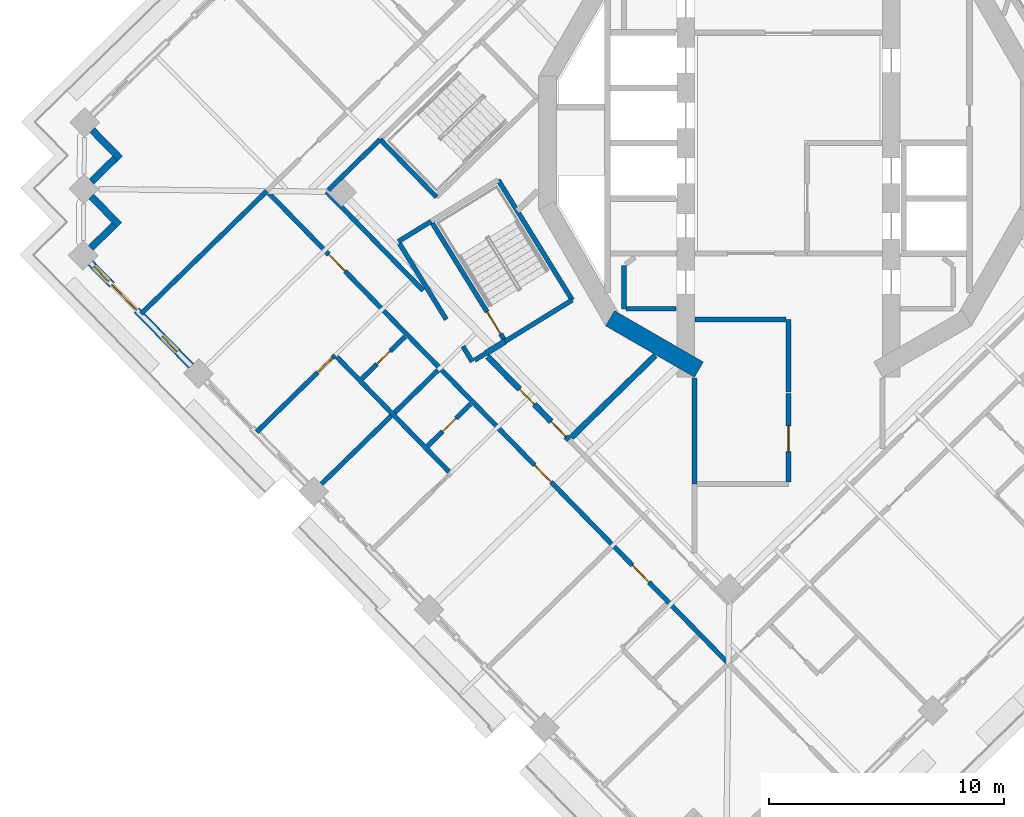
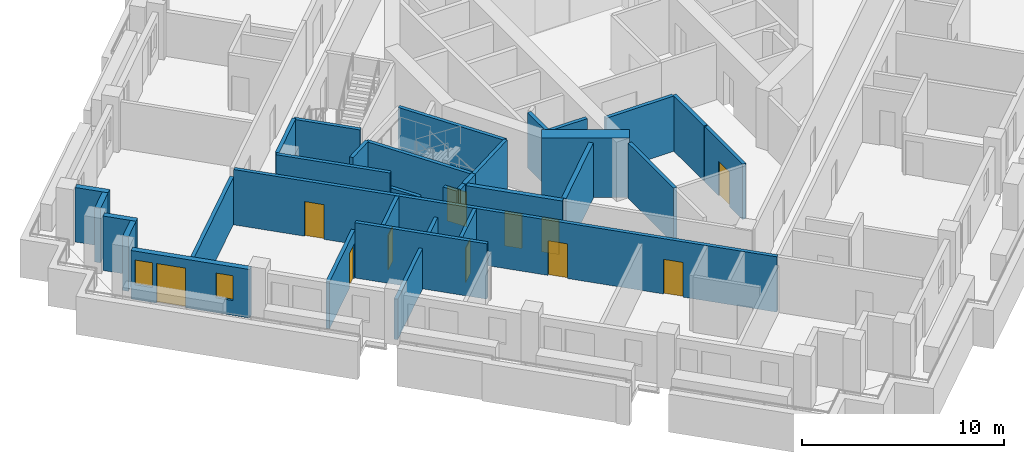
# One storey, part 5 of 19: 32 walls, 11 doors, 2 windows, 13 openings.
"""IFC4 building model written with IfcOpenShell, lengths in metres."""

from ifc_helpers import new_model, si_unit, direction, frame, frame_2d, origin, place, context, subcontext, project, spatial, rectangle, extrude, material, layer, layer_set, type_object, element, fill, save


model = new_model("IFC4")

# Units and contexts
model_context = context("Model", 3, precision=1e-05, world=origin(), true_north=direction((0.0, 1.0)))
body_context = subcontext(model_context, "Body", "Model", "MODEL_VIEW")
ifc_project = project(units=[si_unit("LENGTHUNIT", "METRE"), si_unit("AREAUNIT", "SQUARE_METRE"), si_unit("VOLUMEUNIT", "CUBIC_METRE"), si_unit("PLANEANGLEUNIT", "RADIAN"), si_unit("MASSUNIT", "GRAM", prefix="KILO")], contexts=[model_context])

# Site, building, storey
site_placement = place(None, origin())
site = spatial("IfcSite", under=ifc_project, at=site_placement, CompositionType="ELEMENT")
building_placement = place(site_placement, origin())
building = spatial("IfcBuilding", under=site, at=building_placement, Name="Cantera Rosa Tower", CompositionType="ELEMENT")
storey_placement = place(building_placement, frame((0.0, 0.0, 216.199951171875)))
storey = spatial("IfcBuildingStorey", under=building, at=storey_placement, Name="L46", CompositionType="ELEMENT", Elevation=216.199951171875)

# Wall
ifc_material_1 = material(Name="Gypsum board partition")
ifc_layer_1 = layer(ifc_material_1, 0.199951171875)
ifc_layer_set_1 = layer_set([ifc_layer_1], Name="CORRIDOR WALL 200 H2300")
wall_type_1 = type_object("IfcWallType", Name="CORRIDOR WALL 200 H2300", PredefinedType="PARTITIONING", material=ifc_layer_set_1)
wall_1_placement = place(storey_placement, frame((-16.548095703125, -4.274658203125, 0.0), z_axis=(0.0, 0.0, 1.0), x_axis=(0.524970357961, -0.851120510423, 0.0)))
element("IfcWall", 1, at=wall_1_placement, inside=storey, type_object=wall_type_1, Name="CORRIDOR WALL L46-012", PredefinedType="PARTITIONING", context=body_context, shape_type="SweptSolid", body=[
    extrude(rectangle(XDim=3.790771484375, YDim=0.199951171875, at=frame_2d((1.8955078125, 0.0))), origin(), (0.0, 0.0, 1.0), 2.300048828125),
])

# Wall, openings, doors
ifc_material_2 = material(Name="Gypsum board partition")
ifc_layer_2 = layer(ifc_material_2, 0.199951171875)
ifc_layer_set_2 = layer_set([ifc_layer_2], Name="CORRIDOR WALL 200 H3350")
wall_type_2 = type_object("IfcWallType", Name="CORRIDOR WALL 200 H3350", PredefinedType="PARTITIONING", material=ifc_layer_set_2)
wall_2_placement = place(storey_placement, frame((-22.109130859375, -2.125732421875, 0.0), z_axis=(0.0, 0.0, 1.0), x_axis=(0.698826334324, -0.715291377311, 0.0)))
wall_2 = element("IfcWall", 2, at=wall_2_placement, inside=storey, type_object=wall_type_2, Name="CORRIDOR WALL L46-003", PredefinedType="PARTITIONING", context=body_context, shape_type="SweptSolid", body=[
    extrude(rectangle(XDim=27.97998046875, YDim=0.199951171875, at=frame_2d((13.989990234375, 0.0))), origin(), (0.0, 0.0, 1.0), 3.35009765625),
])
opening_1_placement = place(wall_2_placement, frame((3.64990234375, 0.0, 0.0)))
opening_1 = element("IfcOpeningElement", 3, at=opening_1_placement, cuts=wall_2, Name="Opening L46-037", PredefinedType="OPENING", context=body_context, shape_type="SweptSolid", body=[
    extrude(rectangle(XDim=1.0, YDim=2.10009765625, at=frame_2d((0.5, 1.050048828125))), frame((0.0, 0.10986328125, 0.0), z_axis=(0.0, -1.0, 0.0), x_axis=(1.0, 0.0, 0.0)), (0.0, 0.0, 1.0), 0.219970703125),
])
opening_2_placement = place(wall_2_placement, frame((16.18505859375, 0.0, 0.0)))
opening_2 = element("IfcOpeningElement", 4, at=opening_2_placement, cuts=wall_2, Name="Opening L46-040", PredefinedType="OPENING", context=body_context, shape_type="SweptSolid", body=[
    extrude(rectangle(XDim=1.0, YDim=2.10009765625, at=frame_2d((0.5, 1.050048828125))), frame((0.0, 0.10986328125, 0.0), z_axis=(0.0, -1.0, 0.0), x_axis=(1.0, 0.0, 0.0)), (0.0, 0.0, 1.0), 0.219970703125),
])
opening_3_placement = place(wall_2_placement, frame((22.139892578125, 0.0, 0.0)))
opening_3 = element("IfcOpeningElement", 5, at=opening_3_placement, cuts=wall_2, Name="Opening L46-043", PredefinedType="OPENING", context=body_context, shape_type="SweptSolid", body=[
    extrude(rectangle(XDim=1.0, YDim=2.10009765625, at=frame_2d((0.5, 1.050048828125))), frame((0.0, 0.10986328125, 0.0), z_axis=(0.0, -1.0, 0.0), x_axis=(1.0, 0.0, 0.0)), (0.0, 0.0, 1.0), 0.219970703125),
])
ifc_material_3 = material(Name="Timber door leaf", Category="wood")
door_type_1 = type_object("IfcDoorType", Name="ENTRANCE DOOR 1000x2100", OperationType="NOTDEFINED", PredefinedType="DOOR", material=ifc_material_3)
door_1_placement = place(opening_1_placement, origin())
door_1 = element("IfcDoor", 6, at=door_1_placement, inside=storey, type_object=door_type_1, Name="DOOR L46-037", OperationType="NOTDEFINED", OverallHeight=2.10009765625, OverallWidth=1.0, PredefinedType="DOOR", context=body_context, shape_type="SweptSolid", body=[
    extrude(rectangle(XDim=1.0, YDim=2.10009765625, at=frame_2d((0.5, 1.050048828125))), frame((0.0, 0.02490234375, 0.0), z_axis=(0.0, -1.0, 0.0), x_axis=(1.0, 0.0, 0.0)), (0.0, 0.0, 1.0), 0.050048828125),
])
fill(opening_1, door_1)
door_2_placement = place(opening_2_placement, origin())
door_2 = element("IfcDoor", 7, at=door_2_placement, inside=storey, type_object=door_type_1, Name="DOOR L46-040", OperationType="NOTDEFINED", OverallHeight=2.10009765625, OverallWidth=1.0, PredefinedType="DOOR", context=body_context, shape_type="SweptSolid", body=[
    extrude(rectangle(XDim=1.0, YDim=2.10009765625, at=frame_2d((0.5, 1.050048828125))), frame((0.0, 0.02490234375, 0.0), z_axis=(0.0, -1.0, 0.0), x_axis=(1.0, 0.0, 0.0)), (0.0, 0.0, 1.0), 0.050048828125),
])
fill(opening_2, door_2)
door_3_placement = place(opening_3_placement, origin())
door_3 = element("IfcDoor", 8, at=door_3_placement, inside=storey, type_object=door_type_1, Name="DOOR L46-043", OperationType="NOTDEFINED", OverallHeight=2.10009765625, OverallWidth=1.0, PredefinedType="DOOR", context=body_context, shape_type="SweptSolid", body=[
    extrude(rectangle(XDim=1.0, YDim=2.10009765625, at=frame_2d((0.5, 1.050048828125))), frame((0.0, 0.02490234375, 0.0), z_axis=(0.0, -1.0, 0.0), x_axis=(1.0, 0.0, 0.0)), (0.0, 0.0, 1.0), 0.050048828125),
])
fill(opening_3, door_3)

# Walls
wall_3_placement = place(storey_placement, frame((-19.647705078125, -2.069580078125, 0.0), z_axis=(0.0, 0.0, 1.0), x_axis=(0.698845926006, -0.715272236079, 0.0)))
element("IfcWall", 9, at=wall_3_placement, inside=storey, type_object=wall_type_2, Name="CORRIDOR WALL L46-004", PredefinedType="PARTITIONING", context=body_context, shape_type="SweptSolid", body=[
    extrude(rectangle(XDim=5.870849609375, YDim=0.199951171875, at=frame_2d((2.935546875, 0.0))), origin(), (0.0, 0.0, 1.0), 3.35009765625),
])
wall_4_placement = place(storey_placement, frame((-17.36962890625, 0.156005859375, 0.0), z_axis=(0.0, 0.0, 1.0), x_axis=(-0.715289693103, -0.69882805821, 0.0)))
element("IfcWall", 10, at=wall_4_placement, inside=storey, type_object=wall_type_2, Name="CORRIDOR WALL L46-009", PredefinedType="PARTITIONING", context=body_context, shape_type="SweptSolid", body=[
    extrude(rectangle(XDim=3.084716796875, YDim=0.199951171875, at=frame_2d((1.54248046875, 0.0))), origin(), (0.0, 0.0, 1.0), 3.35009765625),
])
wall_5_placement = place(storey_placement, frame((-16.6005859375, -4.189697265625, 0.0), z_axis=(0.0, 0.0, 1.0), x_axis=(0.8510360128, 0.525107327047, 0.0)))
element("IfcWall", 11, at=wall_5_placement, inside=storey, type_object=wall_type_2, Name="CORRIDOR WALL L46-011", PredefinedType="PARTITIONING", context=body_context, shape_type="SweptSolid", body=[
    extrude(rectangle(XDim=1.64501953125, YDim=0.199951171875, at=frame_2d((0.822509765625, 0.0))), origin(), (0.0, 0.0, 1.0), 3.35009765625),
])
wall_6_placement = place(storey_placement, frame((-13.8525390625, -8.64501953125, 0.0), z_axis=(0.0, 0.0, 1.0), x_axis=(0.52482706305, -0.851208877944, 0.0)))
element("IfcWall", 12, at=wall_6_placement, inside=storey, type_object=wall_type_2, Name="CORRIDOR WALL L46-013", PredefinedType="PARTITIONING", context=body_context, shape_type="SweptSolid", body=[
    extrude(rectangle(XDim=0.76513671875, YDim=0.199951171875, at=frame_2d((0.382568359375, 0.0))), origin(), (0.0, 0.0, 1.0), 3.35009765625),
])
wall_7_placement = place(storey_placement, frame((-13.3486328125, -9.2333984375, 0.0), z_axis=(0.0, 0.0, 1.0), x_axis=(0.851004350762, 0.525158637922, 0.0)))
element("IfcWall", 13, at=wall_7_placement, inside=storey, type_object=wall_type_2, Name="CORRIDOR WALL L46-020", PredefinedType="PARTITIONING", context=body_context, shape_type="SweptSolid", body=[
    extrude(rectangle(XDim=0.51318359375, YDim=0.199951171875, at=frame_2d((0.256591796875, 0.0))), origin(), (0.0, 0.0, 1.0), 3.35009765625),
])

# Wall, opening, door
wall_8_placement = place(storey_placement, frame((0.0, -14.419921875, 0.0), z_axis=(0.0, 0.0, 1.0), x_axis=(0.0, 1.0, 0.0)))
wall_8 = element("IfcWall", 14, at=wall_8_placement, inside=storey, type_object=wall_type_2, Name="CORRIDOR WALL L46-062", PredefinedType="PARTITIONING", context=body_context, shape_type="SweptSolid", body=[
    extrude(rectangle(XDim=3.7646484375, YDim=0.199951171875, at=frame_2d((1.88232421875, 0.0))), origin(), (0.0, 0.0, 1.0), 3.35009765625),
])
opening_4_placement = place(wall_8_placement, frame((1.29248046875, 0.0, 0.0)))
opening_4 = element("IfcOpeningElement", 15, at=opening_4_placement, cuts=wall_8, Name="Opening L46-017", PredefinedType="OPENING", context=body_context, shape_type="SweptSolid", body=[
    extrude(rectangle(XDim=1.10009765625, YDim=2.10009765625, at=frame_2d((0.550048828125, 1.050048828125))), frame((0.0, 0.10986328125, 0.0), z_axis=(0.0, -1.0, 0.0), x_axis=(1.0, 0.0, 0.0)), (0.0, 0.0, 1.0), 0.219970703125),
])
ifc_material_4 = material(Name="Timber door leaf", Category="wood")
door_type_2 = type_object("IfcDoorType", Name="ROOM DOOR 1100x2100", OperationType="NOTDEFINED", PredefinedType="DOOR", material=ifc_material_4)
door_4_placement = place(opening_4_placement, origin())
door_4 = element("IfcDoor", 16, at=door_4_placement, inside=storey, type_object=door_type_2, Name="DOOR L46-017", OperationType="NOTDEFINED", OverallHeight=2.10009765625, OverallWidth=1.10009765625, PredefinedType="DOOR", context=body_context, shape_type="SweptSolid", body=[
    extrude(rectangle(XDim=1.10009765625, YDim=2.10009765625, at=frame_2d((0.550048828125, 1.050048828125))), frame((0.0, 0.02490234375, 0.0), z_axis=(0.0, -1.0, 0.0), x_axis=(1.0, 0.0, 0.0)), (0.0, 0.0, 1.0), 0.050048828125),
])
fill(opening_4, door_4)

# Walls
wall_9_placement = place(storey_placement, frame((0.0, -10.59521484375, 0.0), z_axis=(0.0, 0.0, 1.0), x_axis=(0.0, 1.0, 0.0)))
element("IfcWall", 17, at=wall_9_placement, inside=storey, type_object=wall_type_2, Name="CORRIDOR WALL L46-063", PredefinedType="PARTITIONING", context=body_context, shape_type="SweptSolid", body=[
    extrude(rectangle(XDim=3.09521484375, YDim=0.199951171875, at=frame_2d((1.547607421875, 0.0))), origin(), (0.0, 0.0, 1.0), 3.35009765625),
])
wall_10_placement = place(storey_placement, frame((-0.10009765625, -7.5, 0.0), z_axis=(0.0, 0.0, 1.0), x_axis=(-1.0, 0.0, 0.0)))
element("IfcWall", 18, at=wall_10_placement, inside=storey, type_object=wall_type_2, Name="CORRIDOR WALL L46-064", PredefinedType="PARTITIONING", context=body_context, shape_type="SweptSolid", body=[
    extrude(rectangle(XDim=3.869873046875, YDim=0.199951171875, at=frame_2d((1.93505859375, 0.0))), origin(), (0.0, 0.0, 1.0), 3.35009765625),
])
ifc_material_5 = material(Name="Hollow clay masonry with cantera stone cladding", Category="masonry")
ifc_layer_3 = layer(ifc_material_5, 0.300048828125)
ifc_layer_set_3 = layer_set([ifc_layer_3], Name="EW-LOGGIA 300")
wall_type_3 = type_object("IfcWallType", Name="EW-LOGGIA 300", PredefinedType="SOLIDWALL", material=ifc_layer_set_3)
wall_11_placement = place(storey_placement, frame((-29.623291015625, 0.556884765625, 0.0), z_axis=(0.0, 0.0, 1.0), x_axis=(0.69880105094, -0.715316077832, 0.0)))
element("IfcWall", 19, at=wall_11_placement, inside=storey, type_object=wall_type_3, Name="EN-L46-W12a", PredefinedType="SOLIDWALL", context=body_context, shape_type="SweptSolid", body=[
    extrude(rectangle(XDim=1.699951171875, YDim=0.300048828125, at=frame_2d((0.85009765625, 0.0))), origin(), (0.0, 0.0, 1.0), 3.300048828125),
])
wall_12_placement = place(storey_placement, frame((-28.6474609375, -0.65673828125, 0.0), z_axis=(0.0, 0.0, 1.0), x_axis=(-0.715341715727, -0.698774806172, 0.0)))
element("IfcWall", 20, at=wall_12_placement, inside=storey, type_object=wall_type_3, Name="EN-L46-W12b", PredefinedType="SOLIDWALL", context=body_context, shape_type="SweptSolid", body=[
    extrude(rectangle(XDim=1.39990234375, YDim=0.300048828125, at=frame_2d((0.699951171875, 0.0))), origin(), (0.0, 0.0, 1.0), 3.300048828125),
])
wall_13_placement = place(storey_placement, frame((-29.65625, -2.271484375, 0.0), z_axis=(0.0, 0.0, 1.0), x_axis=(0.698872839675, -0.715245939495, 0.0)))
element("IfcWall", 21, at=wall_13_placement, inside=storey, type_object=wall_type_3, Name="EN-L46-W13a", PredefinedType="SOLIDWALL", context=body_context, shape_type="SweptSolid", body=[
    extrude(rectangle(XDim=1.699951171875, YDim=0.300048828125, at=frame_2d((0.85009765625, 0.0))), origin(), (0.0, 0.0, 1.0), 3.300048828125),
])
wall_14_placement = place(storey_placement, frame((-28.680419921875, -3.48486328125, 0.0), z_axis=(0.0, 0.0, 1.0), x_axis=(-0.71516937164, -0.698951192766, 0.0)))
element("IfcWall", 22, at=wall_14_placement, inside=storey, type_object=wall_type_3, Name="EN-L46-W13b", PredefinedType="SOLIDWALL", context=body_context, shape_type="SweptSolid", body=[
    extrude(rectangle(XDim=1.39990234375, YDim=0.300048828125, at=frame_2d((0.699951171875, 0.0))), origin(), (0.0, 0.0, 1.0), 3.300048828125),
])

# Wall, openings, windows, door
ifc_material_6 = material(Name="Hollow clay masonry with cantera stone cladding", Category="masonry")
ifc_layer_4 = layer(ifc_material_6, 0.300048828125)
ifc_layer_set_4 = layer_set([ifc_layer_4], Name="EW-LOGGIA 300 H2940")
wall_type_4 = type_object("IfcWallType", Name="EW-LOGGIA 300 H2940", PredefinedType="SOLIDWALL", material=ifc_layer_set_4)
wall_15_placement = place(storey_placement, frame((-29.689208984375, -5.099609375, 0.0), z_axis=(0.0, 0.0, 1.0), x_axis=(0.69882117953, -0.715296413412, 0.0)))
wall_15 = element("IfcWall", 23, at=wall_15_placement, inside=storey, type_object=wall_type_4, Name="EN-L46-W14", PredefinedType="SOLIDWALL", context=body_context, shape_type="SweptSolid", body=[
    extrude(rectangle(XDim=6.1201171875, YDim=0.300048828125, at=frame_2d((3.06005859375, 0.0))), origin(), (0.0, 0.0, 1.0), 2.93994140625),
])
opening_5_placement = place(wall_15_placement, frame((0.199951171875, 0.0, 0.89990234375)))
opening_5 = element("IfcOpeningElement", 24, at=opening_5_placement, cuts=wall_15, Name="Opening L46-W22", PredefinedType="OPENING", context=body_context, shape_type="SweptSolid", body=[
    extrude(rectangle(XDim=0.89990234375, YDim=1.5, at=frame_2d((0.449951171875, 0.75))), frame((0.0, 0.159912109375, 0.0), z_axis=(0.0, -1.0, 0.0), x_axis=(1.0, 0.0, 0.0)), (0.0, 0.0, 1.0), 0.320068359375),
])
opening_6_placement = place(wall_15_placement, frame((1.300048828125, 0.0, 0.0)))
opening_6 = element("IfcOpeningElement", 25, at=opening_6_placement, cuts=wall_15, Name="Opening L46-TD23", PredefinedType="OPENING", context=body_context, shape_type="SweptSolid", body=[
    extrude(rectangle(XDim=1.5, YDim=2.39990234375, at=frame_2d((0.75, 1.199951171875))), frame((0.0, 0.159912109375, 0.0), z_axis=(0.0, -1.0, 0.0), x_axis=(1.0, 0.0, 0.0)), (0.0, 0.0, 1.0), 0.320068359375),
])
opening_7_placement = place(wall_15_placement, frame((4.364990234375, 0.0, 0.89990234375)))
opening_7 = element("IfcOpeningElement", 26, at=opening_7_placement, cuts=wall_15, Name="Opening L46-W24", PredefinedType="OPENING", context=body_context, shape_type="SweptSolid", body=[
    extrude(rectangle(XDim=0.89990234375, YDim=1.5, at=frame_2d((0.449951171875, 0.75))), frame((0.0, 0.159912109375, 0.0), z_axis=(0.0, -1.0, 0.0), x_axis=(1.0, 0.0, 0.0)), (0.0, 0.0, 1.0), 0.320068359375),
])
ifc_material_7 = material(Name="Aluminium frame with clear glass", Category="aluminium")
window_type = type_object("IfcWindowType", Name="Residential window 900x1500", PartitioningType="SINGLE_PANEL", PredefinedType="WINDOW", material=ifc_material_7)
window_1_placement = place(opening_5_placement, origin())
window_1 = element("IfcWindow", 27, at=window_1_placement, inside=storey, type_object=window_type, Name="WINDOW L46-W22", OverallHeight=1.5, OverallWidth=0.89990234375, PartitioningType="SINGLE_PANEL", PredefinedType="WINDOW", context=body_context, shape_type="SweptSolid", body=[
    extrude(rectangle(XDim=0.89990234375, YDim=1.5, at=frame_2d((0.449951171875, 0.75))), frame((0.0, 0.030029296875, 0.0), z_axis=(0.0, -1.0, 0.0), x_axis=(1.0, 0.0, 0.0)), (0.0, 0.0, 1.0), 0.06005859375),
])
fill(opening_5, window_1)
window_2_placement = place(opening_7_placement, origin())
window_2 = element("IfcWindow", 28, at=window_2_placement, inside=storey, type_object=window_type, Name="WINDOW L46-W24", OverallHeight=1.5, OverallWidth=0.89990234375, PartitioningType="SINGLE_PANEL", PredefinedType="WINDOW", context=body_context, shape_type="SweptSolid", body=[
    extrude(rectangle(XDim=0.89990234375, YDim=1.5, at=frame_2d((0.449951171875, 0.75))), frame((0.0, 0.030029296875, 0.0), z_axis=(0.0, -1.0, 0.0), x_axis=(1.0, 0.0, 0.0)), (0.0, 0.0, 1.0), 0.06005859375),
])
fill(opening_7, window_2)
ifc_material_8 = material(Name="Aluminium frame with clear glass", Category="aluminium")
door_type_3 = type_object("IfcDoorType", Name="TD-R 1500x2400", OperationType="NOTDEFINED", PredefinedType="DOOR", material=ifc_material_8)
door_5_placement = place(opening_6_placement, origin())
door_5 = element("IfcDoor", 29, at=door_5_placement, inside=storey, type_object=door_type_3, Name="LOGGIA DOOR L46-TD23", OperationType="SLIDING_TO_LEFT", OverallHeight=2.39990234375, OverallWidth=1.5, PredefinedType="DOOR", context=body_context, shape_type="SweptSolid", body=[
    extrude(rectangle(XDim=1.5, YDim=2.39990234375, at=frame_2d((0.75, 1.199951171875))), frame((0.0, 0.02490234375, 0.0), z_axis=(0.0, -1.0, 0.0), x_axis=(1.0, 0.0, 0.0)), (0.0, 0.0, 1.0), 0.050048828125),
])
fill(opening_6, door_5)

# Wall, opening, door
ifc_material_9 = material(Name="Gypsum board partition")
ifc_layer_5 = layer(ifc_material_9, 0.199951171875)
ifc_layer_set_5 = layer_set([ifc_layer_5], Name="PARTITION 200 H2850")
wall_type_5 = type_object("IfcWallType", Name="PARTITION 200 H2850", PredefinedType="PARTITIONING", material=ifc_layer_set_5)
wall_16_placement = place(storey_placement, frame((-22.623291015625, -12.288818359375, 0.0), z_axis=(0.0, 0.0, 1.0), x_axis=(0.715241248144, 0.698877640903, 0.0)))
wall_16 = element("IfcWall", 30, at=wall_16_placement, inside=storey, type_object=wall_type_5, Name="PARTITION L46-001", PredefinedType="PARTITIONING", context=body_context, shape_type="SweptSolid", body=[
    extrude(rectangle(XDim=4.669921875, YDim=0.199951171875, at=frame_2d((2.3349609375, 0.0))), origin(), (0.0, 0.0, 1.0), 2.85009765625),
])
opening_8_placement = place(wall_16_placement, frame((3.6201171875, 0.0, 0.0)))
opening_8 = element("IfcOpeningElement", 31, at=opening_8_placement, cuts=wall_16, Name="Opening L46-039", PredefinedType="OPENING", context=body_context, shape_type="SweptSolid", body=[
    extrude(rectangle(XDim=0.89990234375, YDim=2.10009765625, at=frame_2d((0.449951171875, 1.050048828125))), frame((0.0, 0.10986328125, 0.0), z_axis=(0.0, -1.0, 0.0), x_axis=(1.0, 0.0, 0.0)), (0.0, 0.0, 1.0), 0.219970703125),
])
ifc_material_10 = material(Name="Timber door leaf", Category="wood")
door_type_4 = type_object("IfcDoorType", Name="ROOM DOOR 900x2100", OperationType="NOTDEFINED", PredefinedType="DOOR", material=ifc_material_10)
door_6_placement = place(opening_8_placement, origin())
door_6 = element("IfcDoor", 32, at=door_6_placement, inside=storey, type_object=door_type_4, Name="DOOR L46-039", OperationType="NOTDEFINED", OverallHeight=2.10009765625, OverallWidth=0.89990234375, PredefinedType="DOOR", context=body_context, shape_type="SweptSolid", body=[
    extrude(rectangle(XDim=0.89990234375, YDim=2.10009765625, at=frame_2d((0.449951171875, 1.050048828125))), frame((0.0, 0.02490234375, 0.0), z_axis=(0.0, -1.0, 0.0), x_axis=(1.0, 0.0, 0.0)), (0.0, 0.0, 1.0), 0.050048828125),
])
fill(opening_8, door_6)

# Wall
ifc_material_11 = material(Name="Gypsum board partition")
ifc_layer_6 = layer(ifc_material_11, 0.199951171875)
ifc_layer_set_6 = layer_set([ifc_layer_6], Name="PARTITION 200 H3350")
wall_type_6 = type_object("IfcWallType", Name="PARTITION 200 H3350", PredefinedType="PARTITIONING", material=ifc_layer_set_6)
wall_17_placement = place(storey_placement, frame((-19.19921875, -9.111083984375, 0.0), z_axis=(0.0, 0.0, 1.0), x_axis=(0.698837366631, -0.715280598787, 0.0)))
element("IfcWall", 33, at=wall_17_placement, inside=storey, type_object=wall_type_6, Name="PARTITION L46-005", PredefinedType="PARTITIONING", context=body_context, shape_type="SweptSolid", body=[
    extrude(rectangle(XDim=6.800048828125, YDim=0.199951171875, at=frame_2d((3.39990234375, 0.0))), origin(), (0.0, 0.0, 1.0), 3.35009765625),
])

# Wall, opening, door
wall_18_placement = place(storey_placement, frame((-18.14208984375, -10.021484375, 0.0), z_axis=(0.0, 0.0, 1.0), x_axis=(0.715307445705, 0.698809886965, 0.0)))
wall_18 = element("IfcWall", 34, at=wall_18_placement, inside=storey, type_object=wall_type_6, Name="PARTITION L46-007", PredefinedType="PARTITIONING", context=body_context, shape_type="SweptSolid", body=[
    extrude(rectangle(XDim=2.56005859375, YDim=0.199951171875, at=frame_2d((1.280029296875, 0.0))), origin(), (0.0, 0.0, 1.0), 3.35009765625),
])
opening_9_placement = place(wall_18_placement, frame((0.8798828125, 0.0, 0.0)))
opening_9 = element("IfcOpeningElement", 35, at=opening_9_placement, cuts=wall_18, Name="Opening L46-038", PredefinedType="OPENING", context=body_context, shape_type="SweptSolid", body=[
    extrude(rectangle(XDim=0.800048828125, YDim=2.10009765625, at=frame_2d((0.39990234375, 1.050048828125))), frame((0.0, 0.10986328125, 0.0), z_axis=(0.0, -1.0, 0.0), x_axis=(1.0, 0.0, 0.0)), (0.0, 0.0, 1.0), 0.219970703125),
])
ifc_material_12 = material(Name="Timber door leaf", Category="wood")
door_type_5 = type_object("IfcDoorType", Name="BATHROOM DOOR 800x2100", OperationType="NOTDEFINED", PredefinedType="DOOR", material=ifc_material_12)
door_7_placement = place(opening_9_placement, origin())
door_7 = element("IfcDoor", 36, at=door_7_placement, inside=storey, type_object=door_type_5, Name="DOOR L46-038", OperationType="NOTDEFINED", OverallHeight=2.10009765625, OverallWidth=0.800048828125, PredefinedType="DOOR", context=body_context, shape_type="SweptSolid", body=[
    extrude(rectangle(XDim=0.800048828125, YDim=2.10009765625, at=frame_2d((0.39990234375, 1.050048828125))), frame((0.0, 0.02490234375, 0.0), z_axis=(0.0, -1.0, 0.0), x_axis=(1.0, 0.0, 0.0)), (0.0, 0.0, 1.0), 0.050048828125),
])
fill(opening_9, door_7)

wall_19_placement = place(storey_placement, frame((-13.515380859375, -11.093505859375, 0.0), z_axis=(0.0, 0.0, 1.0), x_axis=(-0.715307445705, -0.698809886965, 0.0)))
wall_19 = element("IfcWall", 37, at=wall_19_placement, inside=storey, type_object=wall_type_6, Name="PARTITION L46-021", PredefinedType="PARTITIONING", context=body_context, shape_type="SweptSolid", body=[
    extrude(rectangle(XDim=2.56005859375, YDim=0.199951171875, at=frame_2d((1.280029296875, 0.0))), origin(), (0.0, 0.0, 1.0), 3.35009765625),
])
opening_10_placement = place(wall_19_placement, frame((0.8798828125, 0.0, 0.0)))
opening_10 = element("IfcOpeningElement", 38, at=opening_10_placement, cuts=wall_19, Name="Opening L46-041", PredefinedType="OPENING", context=body_context, shape_type="SweptSolid", body=[
    extrude(rectangle(XDim=0.800048828125, YDim=2.10009765625, at=frame_2d((0.39990234375, 1.050048828125))), frame((0.0, 0.10986328125, 0.0), z_axis=(0.0, -1.0, 0.0), x_axis=(1.0, 0.0, 0.0)), (0.0, 0.0, 1.0), 0.219970703125),
])
door_8_placement = place(opening_10_placement, origin())
door_8 = element("IfcDoor", 39, at=door_8_placement, inside=storey, type_object=door_type_5, Name="DOOR L46-041", OperationType="NOTDEFINED", OverallHeight=2.10009765625, OverallWidth=0.800048828125, PredefinedType="DOOR", context=body_context, shape_type="SweptSolid", body=[
    extrude(rectangle(XDim=0.800048828125, YDim=2.10009765625, at=frame_2d((0.39990234375, 1.050048828125))), frame((0.0, 0.02490234375, 0.0), z_axis=(0.0, -1.0, 0.0), x_axis=(1.0, 0.0, 0.0)), (0.0, 0.0, 1.0), 0.050048828125),
])
fill(opening_10, door_8)

# Walls
wall_20_placement = place(storey_placement, frame((-7.0, -7.050048828125, 0.0), z_axis=(0.0, 0.0, 1.0), x_axis=(0.0, 1.0, 0.0)))
element("IfcWall", 40, at=wall_20_placement, inside=storey, type_object=wall_type_6, Name="PARTITION L46-041", PredefinedType="PARTITIONING", context=body_context, shape_type="SweptSolid", body=[
    extrude(rectangle(XDim=1.85009765625, YDim=0.199951171875, at=frame_2d((0.925048828125, 0.0))), origin(), (0.0, 0.0, 1.0), 3.35009765625),
])
wall_21_placement = place(storey_placement, frame((-4.780029296875, -7.050048828125, 0.0), z_axis=(0.0, 0.0, 1.0), x_axis=(-1.0, 0.0, 0.0)))
element("IfcWall", 41, at=wall_21_placement, inside=storey, type_object=wall_type_6, Name="PARTITION L46-048", PredefinedType="PARTITIONING", context=body_context, shape_type="SweptSolid", body=[
    extrude(rectangle(XDim=2.139892578125, YDim=0.199951171875, at=frame_2d((1.06982421875, 0.0))), origin(), (0.0, 0.0, 1.0), 3.35009765625),
])
wall_22_placement = place(storey_placement, frame((-4.0, -9.994140625, 0.0), z_axis=(0.0, 0.0, 1.0), x_axis=(0.0, -1.0, 0.0)))
element("IfcWall", 42, at=wall_22_placement, inside=storey, type_object=wall_type_6, Name="PARTITION L46-053", PredefinedType="PARTITIONING", context=body_context, shape_type="SweptSolid", body=[
    extrude(rectangle(XDim=4.505859375, YDim=0.199951171875, at=frame_2d((2.2529296875, 0.0))), origin(), (0.0, 0.0, 1.0), 3.35009765625),
])
ifc_material_13 = material(Name="Gypsum board partition")
ifc_layer_7 = layer(ifc_material_13, 0.199951171875)
ifc_layer_set_7 = layer_set([ifc_layer_7], Name="PARTY WALL 200 H2450")
wall_type_7 = type_object("IfcWallType", Name="PARTY WALL 200 H2450", PredefinedType="PARTITIONING", material=ifc_layer_set_7)
wall_23_placement = place(storey_placement, frame((-14.9130859375, -9.6630859375, 0.0), z_axis=(0.0, 0.0, 1.0), x_axis=(-0.715296630095, -0.698820957739, 0.0)))
element("IfcWall", 43, at=wall_23_placement, inside=storey, type_object=wall_type_7, Name="PARTY WALL L46-017", PredefinedType="PARTITIONING", context=body_context, shape_type="SweptSolid", body=[
    extrude(rectangle(XDim=7.349853515625, YDim=0.199951171875, at=frame_2d((3.6748046875, 0.0))), origin(), (0.0, 0.0, 1.0), 2.449951171875),
])
ifc_material_14 = material(Name="Gypsum board partition")
ifc_layer_8 = layer(ifc_material_14, 0.199951171875)
ifc_layer_set_8 = layer_set([ifc_layer_8], Name="PARTY WALL 200 H2850")
wall_type_8 = type_object("IfcWallType", Name="PARTY WALL 200 H2850", PredefinedType="PARTITIONING", material=ifc_layer_set_8)
wall_24_placement = place(storey_placement, frame((-22.193115234375, -2.0400390625, 0.0), z_axis=(0.0, 0.0, 1.0), x_axis=(-0.715278908715, -0.698839096465, 0.0)))
element("IfcWall", 44, at=wall_24_placement, inside=storey, type_object=wall_type_8, Name="PARTY WALL L46-002", PredefinedType="PARTITIONING", context=body_context, shape_type="SweptSolid", body=[
    extrude(rectangle(XDim=7.4697265625, YDim=0.199951171875, at=frame_2d((3.73486328125, 0.0))), origin(), (0.0, 0.0, 1.0), 2.85009765625),
])
ifc_material_15 = material(Name="Concrete C60/75", Category="concrete")
ifc_layer_9 = layer(ifc_material_15, 0.75)
ifc_layer_set_9 = layer_set([ifc_layer_9], Name="RC CORE WALL 750 C60/75")
wall_type_9 = type_object("IfcWallType", Name="RC CORE WALL 750 C60/75", PredefinedType="SHEAR", material=ifc_layer_set_9)
wall_25_placement = place(storey_placement, frame((-3.8125, -9.634765625, 0.0), z_axis=(0.0, 0.0, 1.0), x_axis=(-0.866013176292, 0.50002117804, 0.0)))
element("IfcWall", 45, at=wall_25_placement, inside=storey, type_object=wall_type_9, Name="CW-W1 L46", PredefinedType="SHEAR", context=body_context, shape_type="SweptSolid", body=[
    extrude(rectangle(XDim=4.362548828125, YDim=0.75, at=frame_2d((2.18115234375, 0.0))), origin(), (0.0, 0.0, 1.0), 3.60009765625),
])
ifc_material_16 = material(Name="Masonry blockwork", Category="masonry")
ifc_layer_10 = layer(ifc_material_16, 0.25)
ifc_layer_set_10 = layer_set([ifc_layer_10], Name="SHAFT WALL 250 H3350")
wall_type_10 = type_object("IfcWallType", Name="SHAFT WALL 250 H3350", PredefinedType="SOLIDWALL", material=ifc_layer_set_10)
wall_26_placement = place(storey_placement, frame((-12.89501953125, -8.953369140625, 0.0), z_axis=(0.0, 0.0, 1.0), x_axis=(0.851108551738, 0.524989745765, 0.0)))
element("IfcWall", 46, at=wall_26_placement, inside=storey, type_object=wall_type_10, Name="SHAFT WALL L46-023", PredefinedType="SOLIDWALL", context=body_context, shape_type="SweptSolid", body=[
    extrude(rectangle(XDim=0.991943359375, YDim=0.25, at=frame_2d((0.49609375, 0.0))), origin(), (0.0, 0.0, 1.0), 3.35009765625),
])

# Wall, openings, doors
wall_27_placement = place(storey_placement, frame((-12.800048828125, -9.078369140625, 0.0), z_axis=(0.0, 0.0, 1.0), x_axis=(0.698824608222, -0.715293063676, 0.0)))
wall_27 = element("IfcWall", 47, at=wall_27_placement, inside=storey, type_object=wall_type_10, Name="SHAFT WALL L46-024", PredefinedType="SOLIDWALL", context=body_context, shape_type="SweptSolid", body=[
    extrude(rectangle(XDim=4.951416015625, YDim=0.25, at=frame_2d((2.4755859375, 0.0))), origin(), (0.0, 0.0, 1.0), 3.35009765625),
])
opening_11_placement = place(wall_27_placement, frame((3.862548828125, 0.0, 0.0)))
opening_11 = element("IfcOpeningElement", 48, at=opening_11_placement, cuts=wall_27, Name="Opening L46-009", PredefinedType="OPENING", context=body_context, shape_type="SweptSolid", body=[
    extrude(rectangle(XDim=0.89990234375, YDim=2.10009765625, at=frame_2d((0.449951171875, 1.050048828125))), frame((0.0, 0.135009765625, 0.0), z_axis=(0.0, -1.0, 0.0), x_axis=(1.0, 0.0, 0.0)), (0.0, 0.0, 1.0), 0.27001953125),
])
opening_12_placement = place(wall_27_placement, frame((1.94580078125, 0.0, 0.0)))
opening_12 = element("IfcOpeningElement", 49, at=opening_12_placement, cuts=wall_27, Name="Opening L46-058", PredefinedType="OPENING", context=body_context, shape_type="SweptSolid", body=[
    extrude(rectangle(XDim=0.89990234375, YDim=2.10009765625, at=frame_2d((0.449951171875, 1.050048828125))), frame((0.0, 0.135009765625, 0.0), z_axis=(0.0, -1.0, 0.0), x_axis=(1.0, 0.0, 0.0)), (0.0, 0.0, 1.0), 0.27001953125),
])
ifc_material_17 = material(Name="Timber door leaf", Category="wood")
door_type_6 = type_object("IfcDoorType", Name="SERVICE DOOR 900x2100", OperationType="NOTDEFINED", PredefinedType="DOOR", material=ifc_material_17)
door_9_placement = place(opening_11_placement, origin())
door_9 = element("IfcDoor", 50, at=door_9_placement, inside=storey, type_object=door_type_6, Name="RISER DOOR L46-009", OperationType="NOTDEFINED", OverallHeight=2.10009765625, OverallWidth=0.89990234375, PredefinedType="DOOR", context=body_context, shape_type="SweptSolid", body=[
    extrude(rectangle(XDim=0.89990234375, YDim=2.10009765625, at=frame_2d((0.449951171875, 1.050048828125))), frame((0.0, 0.02490234375, 0.0), z_axis=(0.0, -1.0, 0.0), x_axis=(1.0, 0.0, 0.0)), (0.0, 0.0, 1.0), 0.050048828125),
])
fill(opening_11, door_9)
door_10_placement = place(opening_12_placement, origin())
door_10 = element("IfcDoor", 51, at=door_10_placement, inside=storey, type_object=door_type_6, Name="RISER DOOR L46-058", OperationType="NOTDEFINED", OverallHeight=2.10009765625, OverallWidth=0.89990234375, PredefinedType="DOOR", context=body_context, shape_type="SweptSolid", body=[
    extrude(rectangle(XDim=0.89990234375, YDim=2.10009765625, at=frame_2d((0.449951171875, 1.050048828125))), frame((0.0, 0.02490234375, 0.0), z_axis=(0.0, -1.0, 0.0), x_axis=(1.0, 0.0, 0.0)), (0.0, 0.0, 1.0), 0.050048828125),
])
fill(opening_12, door_10)

# Walls
wall_28_placement = place(storey_placement, frame((-5.6669921875, -9.03173828125, 0.0), z_axis=(0.0, 0.0, 1.0), x_axis=(-0.715294921359, -0.698822706756, 0.0)))
element("IfcWall", 52, at=wall_28_placement, inside=storey, type_object=wall_type_10, Name="SHAFT WALL L46-047", PredefinedType="SOLIDWALL", context=body_context, shape_type="SweptSolid", body=[
    extrude(rectangle(XDim=4.994873046875, YDim=0.25, at=frame_2d((2.49755859375, 0.0))), origin(), (0.0, 0.0, 1.0), 3.35009765625),
])
ifc_material_18 = material(Name="Concrete C50/60", Category="concrete")
ifc_layer_11 = layer(ifc_material_18, 0.199951171875)
ifc_layer_set_11 = layer_set([ifc_layer_11], Name="STAIR WALL 200 H3350")
wall_type_11 = type_object("IfcWallType", Name="STAIR WALL 200 H3350", PredefinedType="SOLIDWALL", material=ifc_layer_set_11)
wall_29_placement = place(storey_placement, frame((-14.975341796875, -2.294677734375, 0.0), z_axis=(0.0, 0.0, 1.0), x_axis=(-0.698828566482, 0.715289196527, 0.0)))
element("IfcWall", 53, at=wall_29_placement, inside=storey, type_object=wall_type_11, Name="STAIR WALL L46-016", PredefinedType="SOLIDWALL", context=body_context, shape_type="SweptSolid", body=[
    extrude(rectangle(XDim=3.426025390625, YDim=0.199951171875, at=frame_2d((1.712890625, 0.0))), origin(), (0.0, 0.0, 1.0), 3.35009765625),
])
wall_30_placement = place(storey_placement, frame((-12.349365234375, -1.5673828125, 0.0), z_axis=(0.0, 0.0, 1.0), x_axis=(0.524982543144, -0.851112994493, 0.0)))
element("IfcWall", 54, at=wall_30_placement, inside=storey, type_object=wall_type_11, Name="STAIR WALL L46-025", PredefinedType="SOLIDWALL", context=body_context, shape_type="SweptSolid", body=[
    extrude(rectangle(XDim=6.0, YDim=0.199951171875, at=frame_2d((3.0, 0.0))), origin(), (0.0, 0.0, 1.0), 3.35009765625),
])

# Wall, opening, door
wall_31_placement = place(storey_placement, frame((-12.05078125, -8.4326171875, 0.0), z_axis=(0.0, 0.0, 1.0), x_axis=(-0.524982543144, 0.851112994493, 0.0)))
wall_31 = element("IfcWall", 55, at=wall_31_placement, inside=storey, type_object=wall_type_11, Name="STAIR WALL L46-026", PredefinedType="SOLIDWALL", context=body_context, shape_type="SweptSolid", body=[
    extrude(rectangle(XDim=6.0, YDim=0.199951171875, at=frame_2d((3.0, 0.0))), origin(), (0.0, 0.0, 1.0), 3.35009765625),
])
opening_13_placement = place(wall_31_placement, frame((0.375, 0.0, 0.0)))
opening_13 = element("IfcOpeningElement", 56, at=opening_13_placement, cuts=wall_31, Name="Opening L46-005", PredefinedType="OPENING", context=body_context, shape_type="SweptSolid", body=[
    extrude(rectangle(XDim=1.10009765625, YDim=2.10009765625, at=frame_2d((0.550048828125, 1.050048828125))), frame((0.0, 0.10986328125, 0.0), z_axis=(0.0, -1.0, 0.0), x_axis=(1.0, 0.0, 0.0)), (0.0, 0.0, 1.0), 0.219970703125),
])
ifc_material_19 = material(Name="Steel S355J2 (EN 10025-2)", Category="steel")
door_type_7 = type_object("IfcDoorType", Name="STAIR DOOR 1100x2100", OperationType="NOTDEFINED", PredefinedType="DOOR", material=ifc_material_19)
door_11_placement = place(opening_13_placement, origin())
door_11 = element("IfcDoor", 57, at=door_11_placement, inside=storey, type_object=door_type_7, Name="DOOR L46-005", OperationType="NOTDEFINED", OverallHeight=2.10009765625, OverallWidth=1.10009765625, PredefinedType="DOOR", context=body_context, shape_type="SweptSolid", body=[
    extrude(rectangle(XDim=1.10009765625, YDim=2.10009765625, at=frame_2d((0.550048828125, 1.050048828125))), frame((0.0, 0.02490234375, 0.0), z_axis=(0.0, -1.0, 0.0), x_axis=(1.0, 0.0, 0.0)), (0.0, 0.0, 1.0), 0.050048828125),
])
fill(opening_13, door_11)

# Wall
wall_32_placement = place(storey_placement, frame((-12.05078125, -8.4326171875, 0.0), z_axis=(0.0, 0.0, 1.0), x_axis=(0.85113993661, 0.524938861495, 0.0)))
element("IfcWall", 58, at=wall_32_placement, inside=storey, type_object=wall_type_11, Name="STAIR WALL L46-027", PredefinedType="SOLIDWALL", context=body_context, shape_type="SweptSolid", body=[
    extrude(rectangle(XDim=3.35009765625, YDim=0.199951171875, at=frame_2d((1.675048828125, 0.0))), origin(), (0.0, 0.0, 1.0), 3.35009765625),
])

save(model, "model.ifc")
